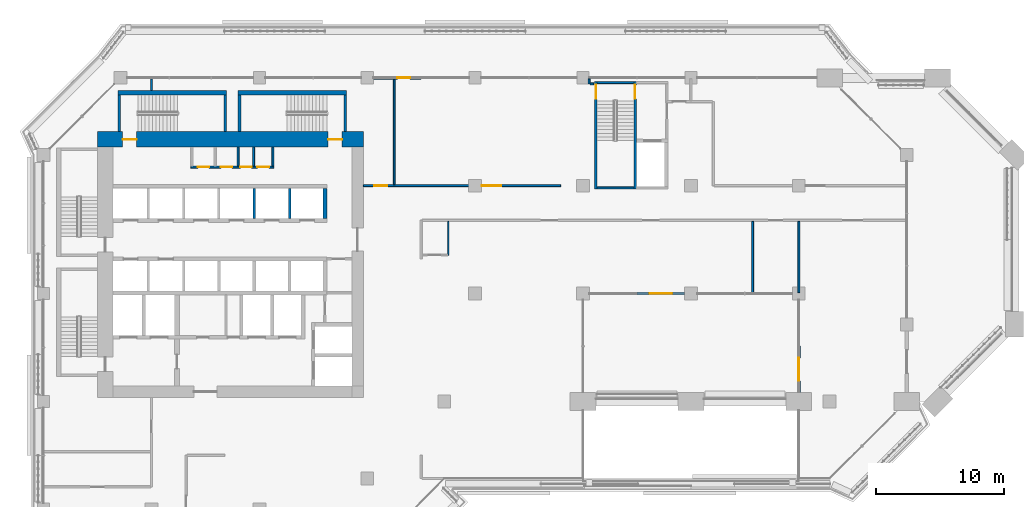
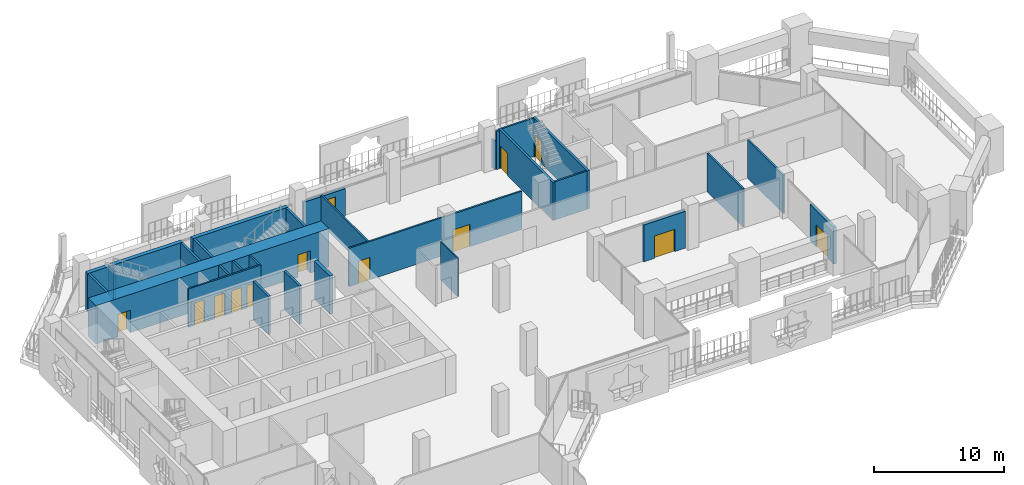
# One storey, part 13 of 23: 29 walls, 13 doors, 13 openings.
"""IFC4 building model written with IfcOpenShell, lengths in metres."""

from ifc_helpers import new_model, si_unit, direction, frame, frame_2d, origin, place, context, subcontext, project, spatial, rectangle, extrude, material, layer, layer_set, type_object, element, fill, save


model = new_model("IFC4")

# Units and contexts
model_context = context("Model", 3, precision=1e-05, world=origin(), true_north=direction((0.0, 1.0)))
body_context = subcontext(model_context, "Body", "Model", "MODEL_VIEW")
ifc_project = project(units=[si_unit("LENGTHUNIT", "METRE"), si_unit("AREAUNIT", "SQUARE_METRE"), si_unit("VOLUMEUNIT", "CUBIC_METRE"), si_unit("PLANEANGLEUNIT", "RADIAN"), si_unit("MASSUNIT", "GRAM", prefix="KILO")], contexts=[model_context])

# Site, building, storey
site_placement = place(None, origin())
site = spatial("IfcSite", under=ifc_project, at=site_placement, CompositionType="ELEMENT")
building_placement = place(site_placement, origin())
building = spatial("IfcBuilding", under=site, at=building_placement, Name="Kawkab Arch Medical Tower", CompositionType="ELEMENT")
storey_placement = place(building_placement, frame((0.0, 0.0, 158.39990234375)))
storey = spatial("IfcBuildingStorey", under=building, at=storey_placement, Name="L36", CompositionType="ELEMENT", Elevation=158.39990234375)

# Wall, openings, doors
ifc_material_1 = material(Name="Concrete C55/67", Category="concrete")
ifc_layer_1 = layer(ifc_material_1, 1.199951171875)
ifc_layer_set_1 = layer_set([ifc_layer_1], Name="Concrete C55/67")
wall_type_1 = type_object("IfcWallType", Name="Core ring wall 1200 C55/67", PredefinedType="SHEAR", material=ifc_layer_set_1)
wall_1_placement = place(storey_placement, frame((4.199951171875, -4.800048828125, 0.0), z_axis=(0.0, 0.0, 1.0), x_axis=(1.0, 0.0, 0.0)))
wall_1 = element("IfcWall", 1, at=wall_1_placement, inside=storey, type_object=wall_type_1, Name="L36 core wall", PredefinedType="SHEAR", context=body_context, shape_type="SweptSolid", body=[
    extrude(rectangle(XDim=20.699951171875, YDim=1.199951171875, at=frame_2d((10.35009765625, 0.0))), origin(), (0.0, 0.0, 1.0), 3.60009765625),
])
opening_1_placement = place(wall_1_placement, frame((1.949951171875, 0.0, 0.0)))
opening_1 = element("IfcOpeningElement", 2, at=opening_1_placement, cuts=wall_1, Name="Opening SD", PredefinedType="OPENING", context=body_context, shape_type="SweptSolid", body=[
    extrude(rectangle(XDim=1.10009765625, YDim=2.10009765625, at=frame_2d((0.550048828125, 1.050048828125))), frame((0.0, 0.60986328125, 0.0), z_axis=(0.0, -1.0, 0.0), x_axis=(1.0, 0.0, 0.0)), (0.0, 0.0, 1.0), 1.219970703125),
])
opening_2_placement = place(wall_1_placement, frame((17.949951171875, 0.0, 0.0)))
opening_2 = element("IfcOpeningElement", 3, at=opening_2_placement, cuts=wall_1, Name="Opening SD", PredefinedType="OPENING", context=body_context, shape_type="SweptSolid", body=[
    extrude(rectangle(XDim=1.10009765625, YDim=2.10009765625, at=frame_2d((0.550048828125, 1.050048828125))), frame((0.0, 0.60986328125, 0.0), z_axis=(0.0, -1.0, 0.0), x_axis=(1.0, 0.0, 0.0)), (0.0, 0.0, 1.0), 1.219970703125),
])
ifc_material_2 = material(Name="Hollow metal fire door leaf")
door_type_1 = type_object("IfcDoorType", Name="Exit stair door 1100", OperationType="SINGLE_SWING_LEFT", PredefinedType="DOOR", material=ifc_material_2)
door_1_placement = place(opening_1_placement, origin())
door_1 = element("IfcDoor", 4, at=door_1_placement, inside=storey, type_object=door_type_1, Name="L36 Exit stair ST3 door", OperationType="SINGLE_SWING_LEFT", OverallHeight=2.10009765625, OverallWidth=1.10009765625, PredefinedType="DOOR", context=body_context, shape_type="SweptSolid", body=[
    extrude(rectangle(XDim=1.10009765625, YDim=2.10009765625, at=frame_2d((0.550048828125, 1.050048828125))), frame((0.0, 0.02490234375, 0.0), z_axis=(0.0, -1.0, 0.0), x_axis=(1.0, 0.0, 0.0)), (0.0, 0.0, 1.0), 0.050048828125),
])
fill(opening_1, door_1)
door_2_placement = place(opening_2_placement, origin())
door_2 = element("IfcDoor", 5, at=door_2_placement, inside=storey, type_object=door_type_1, Name="L36 Exit stair ST4 door", OperationType="SINGLE_SWING_LEFT", OverallHeight=2.10009765625, OverallWidth=1.10009765625, PredefinedType="DOOR", context=body_context, shape_type="SweptSolid", body=[
    extrude(rectangle(XDim=1.10009765625, YDim=2.10009765625, at=frame_2d((0.550048828125, 1.050048828125))), frame((0.0, 0.02490234375, 0.0), z_axis=(0.0, -1.0, 0.0), x_axis=(1.0, 0.0, 0.0)), (0.0, 0.0, 1.0), 0.050048828125),
])
fill(opening_2, door_2)

ifc_material_3 = material(Name="Gypsum board on steel studs", Category="steel")
ifc_layer_2 = layer(ifc_material_3, 0.14990234375)
ifc_layer_set_2 = layer_set([ifc_layer_2], Name="Gypsum board on steel studs")
wall_type_2 = type_object("IfcWallType", Name="Core room partition 150", PredefinedType="PARTITIONING", material=ifc_layer_set_2)
wall_2_placement = place(storey_placement, frame((11.47509765625, -6.949951171875, 0.0), z_axis=(0.0, 0.0, 1.0), x_axis=(1.0, 0.0, 0.0)))
wall_2 = element("IfcWall", 6, at=wall_2_placement, inside=storey, type_object=wall_type_2, Name="L36 core room partition", PredefinedType="PARTITIONING", context=body_context, shape_type="SweptSolid", body=[
    extrude(rectangle(XDim=6.449951171875, YDim=0.14990234375, at=frame_2d((3.22509765625, 0.0))), origin(), (0.0, 0.0, 1.0), 3.60009765625),
])
opening_3_placement = place(wall_2_placement, frame((0.52490234375, 0.0, 0.0)))
opening_3 = element("IfcOpeningElement", 7, at=opening_3_placement, cuts=wall_2, Name="Opening RD", PredefinedType="OPENING", context=body_context, shape_type="SweptSolid", body=[
    extrude(rectangle(XDim=0.89990234375, YDim=2.10009765625, at=frame_2d((0.449951171875, 1.050048828125))), frame((0.0, 0.0849609375, 0.0), z_axis=(0.0, -1.0, 0.0), x_axis=(1.0, 0.0, 0.0)), (0.0, 0.0, 1.0), 0.169921875),
])
opening_4_placement = place(wall_2_placement, frame((2.324951171875, 0.0, 0.0)))
opening_4 = element("IfcOpeningElement", 8, at=opening_4_placement, cuts=wall_2, Name="Opening RD", PredefinedType="OPENING", context=body_context, shape_type="SweptSolid", body=[
    extrude(rectangle(XDim=0.89990234375, YDim=2.10009765625, at=frame_2d((0.449951171875, 1.050048828125))), frame((0.0, 0.0849609375, 0.0), z_axis=(0.0, -1.0, 0.0), x_axis=(1.0, 0.0, 0.0)), (0.0, 0.0, 1.0), 0.169921875),
])
opening_5_placement = place(wall_2_placement, frame((3.824951171875, 0.0, 0.0)))
opening_5 = element("IfcOpeningElement", 9, at=opening_5_placement, cuts=wall_2, Name="Opening RD", PredefinedType="OPENING", context=body_context, shape_type="SweptSolid", body=[
    extrude(rectangle(XDim=0.89990234375, YDim=2.10009765625, at=frame_2d((0.449951171875, 1.050048828125))), frame((0.0, 0.0849609375, 0.0), z_axis=(0.0, -1.0, 0.0), x_axis=(1.0, 0.0, 0.0)), (0.0, 0.0, 1.0), 0.169921875),
])
opening_6_placement = place(wall_2_placement, frame((5.175048828125, 0.0, 0.0)))
opening_6 = element("IfcOpeningElement", 10, at=opening_6_placement, cuts=wall_2, Name="Opening RD", PredefinedType="OPENING", context=body_context, shape_type="SweptSolid", body=[
    extrude(rectangle(XDim=0.89990234375, YDim=2.10009765625, at=frame_2d((0.449951171875, 1.050048828125))), frame((0.0, 0.0849609375, 0.0), z_axis=(0.0, -1.0, 0.0), x_axis=(1.0, 0.0, 0.0)), (0.0, 0.0, 1.0), 0.169921875),
])
ifc_material_4 = material(Name="Hollow metal fire door leaf")
door_type_2 = type_object("IfcDoorType", Name="Core room door 900", OperationType="SINGLE_SWING_LEFT", PredefinedType="DOOR", material=ifc_material_4)
door_3_placement = place(opening_3_placement, origin())
door_3 = element("IfcDoor", 11, at=door_3_placement, inside=storey, type_object=door_type_2, Name="L36 Linen store door", OperationType="SINGLE_SWING_LEFT", OverallHeight=2.10009765625, OverallWidth=0.89990234375, PredefinedType="DOOR", context=body_context, shape_type="SweptSolid", body=[
    extrude(rectangle(XDim=0.89990234375, YDim=2.10009765625, at=frame_2d((0.449951171875, 1.050048828125))), frame((0.0, 0.02490234375, 0.0), z_axis=(0.0, -1.0, 0.0), x_axis=(1.0, 0.0, 0.0)), (0.0, 0.0, 1.0), 0.050048828125),
])
fill(opening_3, door_3)
door_4_placement = place(opening_4_placement, origin())
door_4 = element("IfcDoor", 12, at=door_4_placement, inside=storey, type_object=door_type_2, Name="L36 Comms room door", OperationType="SINGLE_SWING_LEFT", OverallHeight=2.10009765625, OverallWidth=0.89990234375, PredefinedType="DOOR", context=body_context, shape_type="SweptSolid", body=[
    extrude(rectangle(XDim=0.89990234375, YDim=2.10009765625, at=frame_2d((0.449951171875, 1.050048828125))), frame((0.0, 0.02490234375, 0.0), z_axis=(0.0, -1.0, 0.0), x_axis=(1.0, 0.0, 0.0)), (0.0, 0.0, 1.0), 0.050048828125),
])
fill(opening_4, door_4)
door_5_placement = place(opening_5_placement, origin())
door_5 = element("IfcDoor", 13, at=door_5_placement, inside=storey, type_object=door_type_2, Name="L36 Electrical riser room door", OperationType="SINGLE_SWING_LEFT", OverallHeight=2.10009765625, OverallWidth=0.89990234375, PredefinedType="DOOR", context=body_context, shape_type="SweptSolid", body=[
    extrude(rectangle(XDim=0.89990234375, YDim=2.10009765625, at=frame_2d((0.449951171875, 1.050048828125))), frame((0.0, 0.02490234375, 0.0), z_axis=(0.0, -1.0, 0.0), x_axis=(1.0, 0.0, 0.0)), (0.0, 0.0, 1.0), 0.050048828125),
])
fill(opening_5, door_5)
door_6_placement = place(opening_6_placement, origin())
door_6 = element("IfcDoor", 14, at=door_6_placement, inside=storey, type_object=door_type_2, Name="L36 Ward pantry door", OperationType="SINGLE_SWING_LEFT", OverallHeight=2.10009765625, OverallWidth=0.89990234375, PredefinedType="DOOR", context=body_context, shape_type="SweptSolid", body=[
    extrude(rectangle(XDim=0.89990234375, YDim=2.10009765625, at=frame_2d((0.449951171875, 1.050048828125))), frame((0.0, 0.02490234375, 0.0), z_axis=(0.0, -1.0, 0.0), x_axis=(1.0, 0.0, 0.0)), (0.0, 0.0, 1.0), 0.050048828125),
])
fill(opening_6, door_6)

# Walls
for number, where, z_axis, x_axis, name in (
    (15, (15.14990234375, -6.875, 0.0), (0.0, 0.0, 1.0), (0.0, 1.0, 0.0), "L36 core room partition"),
    (16, (16.35009765625, -6.875, 0.0), (0.0, 0.0, 1.0), (0.0, 1.0, 0.0), "L36 core room partition"),
    (17, (17.85009765625, -6.875, 0.0), (0.0, 0.0, 1.0), (0.0, 1.0, 0.0), "L36 core room partition"),
):
    element("IfcWall", number, at=place(storey_placement, frame(where, z_axis=z_axis, x_axis=x_axis)), inside=storey, type_object=wall_type_2, Name=name, PredefinedType="PARTITIONING", context=body_context, shape_type="SweptSolid", body=[
        extrude(rectangle(XDim=1.47509765625, YDim=0.14990234375, at=frame_2d((0.737548828125, 0.0))), origin(), (0.0, 0.0, 1.0), 3.60009765625),
    ])
ifc_material_5 = material(Name="Concrete C60/75", Category="concrete")
ifc_layer_3 = layer(ifc_material_5, 0.300048828125)
ifc_layer_set_3 = layer_set([ifc_layer_3], Name="Concrete C60/75")
wall_type_3 = type_object("IfcWallType", Name="Core shear wall 300 C60/75", PredefinedType="SHEAR", material=ifc_layer_set_3)
wall_3_placement = place(storey_placement, frame((21.89990234375, -10.949951171875, 0.0), z_axis=(0.0, 0.0, 1.0), x_axis=(0.0, 1.0, 0.0)))
element("IfcWall", 18, at=wall_3_placement, inside=storey, type_object=wall_type_3, Name="L36 core shear wall", PredefinedType="SHEAR", context=body_context, shape_type="SweptSolid", body=[
    extrude(rectangle(XDim=2.349853515625, YDim=0.300048828125, at=frame_2d((1.1748046875, 0.0))), origin(), (0.0, 0.0, 1.0), 3.60009765625),
])

# Wall, opening, door
ifc_material_6 = material(Name="Bronze clad insulated wall panel")
ifc_layer_4 = layer(ifc_material_6, 0.25)
ifc_layer_set_4 = layer_set([ifc_layer_4], Name="Bronze clad insulated wall panel")
wall_type_4 = type_object("IfcWallType", Name="External wall bay 250", PredefinedType="SOLIDWALL", material=ifc_layer_set_4)
wall_4_placement = place(storey_placement, frame((46.199951171875, -16.800048828125, 0.0), z_axis=(0.0, 0.0, 1.0), x_axis=(1.0, 0.0, 0.0)))
wall_4 = element("IfcWall", 19, at=wall_4_placement, inside=storey, type_object=wall_type_4, Name="External wall bay L36.R03.1.2", PredefinedType="SOLIDWALL", context=body_context, shape_type="SweptSolid", body=[
    extrude(rectangle(XDim=3.699951171875, YDim=0.25, at=frame_2d((1.85009765625, 0.0))), origin(), (0.0, 0.0, 1.0), 3.460205078125),
])
opening_7_placement = place(wall_4_placement, frame((0.949951171875, 0.0, 0.0)))
opening_7 = element("IfcOpeningElement", 20, at=opening_7_placement, cuts=wall_4, Name="Opening B36-701", PredefinedType="OPENING", context=body_context, shape_type="SweptSolid", body=[
    extrude(rectangle(XDim=1.800048828125, YDim=2.10009765625, at=frame_2d((0.89990234375, 1.050048828125))), frame((0.0, 0.135009765625, 0.0), z_axis=(0.0, -1.0, 0.0), x_axis=(1.0, 0.0, 0.0)), (0.0, 0.0, 1.0), 0.27001953125),
])
ifc_material_7 = material(Name="Bronze anodised aluminium door with tinted glass", Category="aluminium")
door_type_3 = type_object("IfcDoorType", Name="Double external door 1800 x 2100", OperationType="DOUBLE_DOOR_SINGLE_SWING", PredefinedType="DOOR", material=ifc_material_7)
door_7_placement = place(opening_7_placement, origin())
door_7 = element("IfcDoor", 21, at=door_7_placement, inside=storey, type_object=door_type_3, Name="External door L36.R03.1.2", OperationType="DOUBLE_DOOR_SINGLE_SWING", OverallHeight=2.10009765625, OverallWidth=1.800048828125, PredefinedType="DOOR", context=body_context, shape_type="SweptSolid", body=[
    extrude(rectangle(XDim=1.800048828125, YDim=2.10009765625, at=frame_2d((0.89990234375, 1.050048828125))), frame((0.0, 0.02490234375, 0.0), z_axis=(0.0, -1.0, 0.0), x_axis=(1.0, 0.0, 0.0)), (0.0, 0.0, 1.0), 0.050048828125),
])
fill(opening_7, door_7)

wall_5_placement = place(storey_placement, frame((58.800048828125, -20.89990234375, 0.0), z_axis=(0.0, 0.0, 1.0), x_axis=(0.0, -1.0, 0.0)))
wall_5 = element("IfcWall", 22, at=wall_5_placement, inside=storey, type_object=wall_type_4, Name="External wall bay L36.R04.1.2", PredefinedType="SOLIDWALL", context=body_context, shape_type="SweptSolid", body=[
    extrude(rectangle(XDim=3.60009765625, YDim=0.25, at=frame_2d((1.800048828125, 0.0))), origin(), (0.0, 0.0, 1.0), 3.460205078125),
])
opening_8_placement = place(wall_5_placement, frame((0.89990234375, 0.0, 0.0)))
opening_8 = element("IfcOpeningElement", 23, at=opening_8_placement, cuts=wall_5, Name="Opening B36-701", PredefinedType="OPENING", context=body_context, shape_type="SweptSolid", body=[
    extrude(rectangle(XDim=1.800048828125, YDim=2.10009765625, at=frame_2d((0.89990234375, 1.050048828125))), frame((0.0, 0.135009765625, 0.0), z_axis=(0.0, -1.0, 0.0), x_axis=(1.0, 0.0, 0.0)), (0.0, 0.0, 1.0), 0.27001953125),
])
door_8_placement = place(opening_8_placement, origin())
door_8 = element("IfcDoor", 24, at=door_8_placement, inside=storey, type_object=door_type_3, Name="External door L36.R04.1.2", OperationType="DOUBLE_DOOR_SINGLE_SWING", OverallHeight=2.10009765625, OverallWidth=1.800048828125, PredefinedType="DOOR", context=body_context, shape_type="SweptSolid", body=[
    extrude(rectangle(XDim=1.800048828125, YDim=2.10009765625, at=frame_2d((0.89990234375, 1.050048828125))), frame((0.0, 0.02490234375, 0.0), z_axis=(0.0, -1.0, 0.0), x_axis=(1.0, 0.0, 0.0)), (0.0, 0.0, 1.0), 0.050048828125),
])
fill(opening_8, door_8)

wall_6_placement = place(storey_placement, frame((29.39990234375, 0.0, 0.0), z_axis=(0.0, 0.0, 1.0), x_axis=(-1.0, 0.0, 0.0)))
wall_6 = element("IfcWall", 25, at=wall_6_placement, inside=storey, type_object=wall_type_4, Name="External wall bay L36.R09.4.2", PredefinedType="SOLIDWALL", context=body_context, shape_type="SweptSolid", body=[
    extrude(rectangle(XDim=3.724853515625, YDim=0.25, at=frame_2d((1.8623046875, 0.0))), origin(), (0.0, 0.0, 1.0), 2.580078125),
])
opening_9_placement = place(wall_6_placement, frame((0.862548828125, 0.0, 0.0)))
opening_9 = element("IfcOpeningElement", 26, at=opening_9_placement, cuts=wall_6, Name="Opening B36-702", PredefinedType="OPENING", context=body_context, shape_type="SweptSolid", body=[
    extrude(rectangle(XDim=1.0, YDim=2.10009765625, at=frame_2d((0.5, 1.050048828125))), frame((0.0, 0.135009765625, 0.0), z_axis=(0.0, -1.0, 0.0), x_axis=(1.0, 0.0, 0.0)), (0.0, 0.0, 1.0), 0.27001953125),
])
ifc_material_8 = material(Name="Bronze anodised aluminium door with tinted glass", Category="aluminium")
door_type_4 = type_object("IfcDoorType", Name="Single external door 1000 x 2100", OperationType="SINGLE_SWING_LEFT", PredefinedType="DOOR", material=ifc_material_8)
door_9_placement = place(opening_9_placement, origin())
door_9 = element("IfcDoor", 27, at=door_9_placement, inside=storey, type_object=door_type_4, Name="External door L36.R09.4.2", OperationType="SINGLE_SWING_LEFT", OverallHeight=2.10009765625, OverallWidth=1.0, PredefinedType="DOOR", context=body_context, shape_type="SweptSolid", body=[
    extrude(rectangle(XDim=1.0, YDim=2.10009765625, at=frame_2d((0.5, 1.050048828125))), frame((0.0, 0.02490234375, 0.0), z_axis=(0.0, -1.0, 0.0), x_axis=(1.0, 0.0, 0.0)), (0.0, 0.0, 1.0), 0.050048828125),
])
fill(opening_9, door_9)

# Walls
ifc_material_9 = material(Name="Dense concrete blockwork", Category="masonry")
ifc_layer_5 = layer(ifc_material_9, 0.199951171875)
ifc_layer_set_5 = layer_set([ifc_layer_5], Name="Dense concrete blockwork")
wall_type_5 = type_object("IfcWallType", Name="Lift shaft partition 200", PredefinedType="PARTITIONING", material=ifc_layer_set_5)
for number, where, z_axis, x_axis, name in (
    (28, (16.39990234375, -10.949951171875, 0.0), (0.0, 0.0, 1.0), (0.0, 1.0, 0.0), "L36 lift shaft partition"),
    (29, (19.14990234375, -10.949951171875, 0.0), (0.0, 0.0, 1.0), (0.0, 1.0, 0.0), "L36 lift shaft partition"),
):
    element("IfcWall", number, at=place(storey_placement, frame(where, z_axis=z_axis, x_axis=x_axis)), inside=storey, type_object=wall_type_5, Name=name, PredefinedType="PARTITIONING", context=body_context, shape_type="SweptSolid", body=[
        extrude(rectangle(XDim=2.349853515625, YDim=0.199951171875, at=frame_2d((1.1748046875, 0.0))), origin(), (0.0, 0.0, 1.0), 3.60009765625),
    ])
ifc_material_10 = material(Name="Gypsum board partition on steel studs", Category="steel")
ifc_layer_6 = layer(ifc_material_10, 0.10009765625)
ifc_layer_set_6 = layer_set([ifc_layer_6], Name="Gypsum board partition on steel studs")
wall_type_6 = type_object("IfcWallType", Name="Partition 100", PredefinedType="PARTITIONING", material=ifc_layer_set_6)
wall_7_placement = place(storey_placement, frame((31.5, -13.800048828125, 0.0), z_axis=(0.0, 0.0, 1.0), x_axis=(0.0, 1.0, 0.0)))
element("IfcWall", 30, at=wall_7_placement, inside=storey, type_object=wall_type_6, Name="Partition 100 w002", PredefinedType="PARTITIONING", context=body_context, shape_type="SweptSolid", body=[
    extrude(rectangle(XDim=2.625, YDim=0.10009765625, at=frame_2d((1.3125, 0.0))), origin(), (0.0, 0.0, 1.0), 3.60009765625),
])

# Wall, openings, doors
ifc_material_11 = material(Name="Gypsum board partition on steel studs, mineral wool", Category="steel")
ifc_layer_7 = layer(ifc_material_11, 0.14990234375)
ifc_layer_set_7 = layer_set([ifc_layer_7], Name="Gypsum board partition on steel studs, mineral wool")
wall_type_7 = type_object("IfcWallType", Name="Partition 150", PredefinedType="PARTITIONING", material=ifc_layer_set_7)
wall_8_placement = place(storey_placement, frame((24.89990234375, -8.39990234375, 0.0), z_axis=(0.0, 0.0, 1.0), x_axis=(1.0, 0.0, 0.0)))
wall_8 = element("IfcWall", 31, at=wall_8_placement, inside=storey, type_object=wall_type_7, Name="Partition 150 w014", PredefinedType="PARTITIONING", context=body_context, shape_type="SweptSolid", body=[
    extrude(rectangle(XDim=15.357177734375, YDim=0.14990234375, at=frame_2d((7.6787109375, 0.0))), origin(), (0.0, 0.0, 1.0), 3.60009765625),
])
opening_10_placement = place(wall_8_placement, frame((0.85009765625, 0.0, 0.0)))
opening_10 = element("IfcOpeningElement", 32, at=opening_10_placement, cuts=wall_8, Name="Opening B36-010", PredefinedType="OPENING", context=body_context, shape_type="SweptSolid", body=[
    extrude(rectangle(XDim=1.0, YDim=2.10009765625, at=frame_2d((0.5, 1.050048828125))), frame((0.0, 0.0849609375, 0.0), z_axis=(0.0, -1.0, 0.0), x_axis=(1.0, 0.0, 0.0)), (0.0, 0.0, 1.0), 0.169921875),
])
opening_11_placement = place(wall_8_placement, frame((9.22900390625, 0.0, 0.0)))
opening_11 = element("IfcOpeningElement", 33, at=opening_11_placement, cuts=wall_8, Name="Opening B36-007", PredefinedType="OPENING", context=body_context, shape_type="SweptSolid", body=[
    extrude(rectangle(XDim=1.5, YDim=2.10009765625, at=frame_2d((0.75, 1.050048828125))), frame((0.0, 0.0849609375, 0.0), z_axis=(0.0, -1.0, 0.0), x_axis=(1.0, 0.0, 0.0)), (0.0, 0.0, 1.0), 0.169921875),
])
ifc_material_12 = material(Name="Hollow metal door leaf")
door_type_5 = type_object("IfcDoorType", Name="Double door 1500x2100 FD30S", OperationType="NOTDEFINED", PredefinedType="DOOR", material=ifc_material_12)
door_10_placement = place(opening_11_placement, origin())
door_10 = element("IfcDoor", 34, at=door_10_placement, inside=storey, type_object=door_type_5, Name="Door B36-007", OperationType="DOUBLE_DOOR_SINGLE_SWING", OverallHeight=2.10009765625, OverallWidth=1.5, PredefinedType="DOOR", context=body_context, shape_type="SweptSolid", body=[
    extrude(rectangle(XDim=1.5, YDim=2.10009765625, at=frame_2d((0.75, 1.050048828125))), frame((0.0, 0.02490234375, 0.0), z_axis=(0.0, -1.0, 0.0), x_axis=(1.0, 0.0, 0.0)), (0.0, 0.0, 1.0), 0.050048828125),
])
fill(opening_11, door_10)
ifc_material_13 = material(Name="Timber door leaf", Category="wood")
door_type_6 = type_object("IfcDoorType", Name="Single door 1000x2100", OperationType="NOTDEFINED", PredefinedType="DOOR", material=ifc_material_13)
door_11_placement = place(opening_10_placement, origin())
door_11 = element("IfcDoor", 35, at=door_11_placement, inside=storey, type_object=door_type_6, Name="Door B36-010", OperationType="SINGLE_SWING_LEFT", OverallHeight=2.10009765625, OverallWidth=1.0, PredefinedType="DOOR", context=body_context, shape_type="SweptSolid", body=[
    extrude(rectangle(XDim=1.0, YDim=2.10009765625, at=frame_2d((0.5, 1.050048828125))), frame((0.0, 0.02490234375, 0.0), z_axis=(0.0, -1.0, 0.0), x_axis=(1.0, 0.0, 0.0)), (0.0, 0.0, 1.0), 0.050048828125),
])
fill(opening_10, door_11)

# Walls
wall_9_placement = place(storey_placement, frame((42.551025390625, -0.47509765625, 0.0), z_axis=(0.0, 0.0, 1.0), x_axis=(1.0, 0.0, 0.0)))
element("IfcWall", 36, at=wall_9_placement, inside=storey, type_object=wall_type_7, Name="Partition 150 w017", PredefinedType="PARTITIONING", context=body_context, shape_type="SweptSolid", body=[
    extrude(rectangle(XDim=0.26904296875, YDim=0.14990234375, at=frame_2d((0.134521484375, 0.0))), origin(), (0.0, 0.0, 1.0), 3.60009765625),
])
wall_10_placement = place(storey_placement, frame((8.39990234375, -0.969970703125, 0.0), z_axis=(0.0, 0.0, 1.0), x_axis=(0.0, 1.0, 0.0)))
element("IfcWall", 37, at=wall_10_placement, inside=storey, type_object=wall_type_7, Name="Partition 150 w021", PredefinedType="PARTITIONING", context=body_context, shape_type="SweptSolid", body=[
    extrude(rectangle(XDim=0.889892578125, YDim=0.14990234375, at=frame_2d((0.44482421875, 0.0))), origin(), (0.0, 0.0, 1.0), 2.7001953125),
])
wall_11_placement = place(storey_placement, frame((27.300048828125, -8.324951171875, 0.0), z_axis=(0.0, 0.0, 1.0), x_axis=(0.0, 1.0, 0.0)))
element("IfcWall", 38, at=wall_11_placement, inside=storey, type_object=wall_type_7, Name="Partition 150 w023", PredefinedType="PARTITIONING", context=body_context, shape_type="SweptSolid", body=[
    extrude(rectangle(XDim=8.244873046875, YDim=0.14990234375, at=frame_2d((4.12255859375, 0.0))), origin(), (0.0, 0.0, 1.0), 2.7001953125),
])
wall_12_placement = place(storey_placement, frame((42.47509765625, -0.472900390625, 0.0), z_axis=(0.0, 0.0, 1.0), x_axis=(0.0, 1.0, 0.0)))
element("IfcWall", 39, at=wall_12_placement, inside=storey, type_object=wall_type_7, Name="Partition 150 w026", PredefinedType="PARTITIONING", context=body_context, shape_type="SweptSolid", body=[
    extrude(rectangle(XDim=0.392822265625, YDim=0.14990234375, at=frame_2d((0.1962890625, 0.0))), origin(), (0.0, 0.0, 1.0), 2.7001953125),
])
for number, where, z_axis, x_axis, name in (
    (40, (55.199951171875, -16.719970703125, 0.0), (0.0, 0.0, 1.0), (0.0, 1.0, 0.0), "Partition 150 w029"),
    (41, (58.800048828125, -16.719970703125, 0.0), (0.0, 0.0, 1.0), (0.0, 1.0, 0.0), "Partition 150 w030"),
):
    element("IfcWall", number, at=place(storey_placement, frame(where, z_axis=z_axis, x_axis=x_axis)), inside=storey, type_object=wall_type_7, Name=name, PredefinedType="PARTITIONING", context=body_context, shape_type="SweptSolid", body=[
        extrude(rectangle(XDim=5.544921875, YDim=0.14990234375, at=frame_2d((2.7724609375, 0.0))), origin(), (0.0, 0.0, 1.0), 3.60009765625),
    ])
ifc_material_14 = material(Name="Concrete C50/60", Category="concrete")
ifc_layer_8 = layer(ifc_material_14, 0.14990234375)
ifc_layer_set_8 = layer_set([ifc_layer_8], Name="Concrete C50/60")
wall_type_8 = type_object("IfcWallType", Name="Stair enclosure wall 150 C50/60", PredefinedType="SHEAR", material=ifc_layer_set_8)
for number, where, z_axis, x_axis, name in (
    (42, (43.10009765625, -0.375, 0.0), (0.0, 0.0, 1.0), (1.0, 0.0, 0.0), "L36 stair enclosure wall"),
    (43, (43.10009765625, -8.574951171875, 0.0), (0.0, 0.0, 1.0), (1.0, 0.0, 0.0), "L36 stair enclosure wall"),
):
    element("IfcWall", number, at=place(storey_placement, frame(where, z_axis=z_axis, x_axis=x_axis)), inside=storey, type_object=wall_type_8, Name=name, PredefinedType="SHEAR", context=body_context, shape_type="SweptSolid", body=[
        extrude(rectangle(XDim=2.849853515625, YDim=0.14990234375, at=frame_2d((1.4248046875, 0.0))), origin(), (0.0, 0.0, 1.0), 3.60009765625),
    ])
ifc_material_15 = material(Name="Concrete C50/60", Category="concrete")
ifc_layer_9 = layer(ifc_material_15, 0.199951171875)
ifc_layer_set_9 = layer_set([ifc_layer_9], Name="Concrete C50/60")
wall_type_9 = type_object("IfcWallType", Name="Stair enclosure wall 200 C50/60", PredefinedType="SHEAR", material=ifc_layer_set_9)
for number, where, z_axis, x_axis, name in (
    (44, (5.89990234375, -4.199951171875, 0.0), (0.0, 0.0, 1.0), (0.0, 1.0, 0.0), "L36 stair enclosure wall"),
    (45, (14.14990234375, -4.199951171875, 0.0), (0.0, 0.0, 1.0), (0.0, 1.0, 0.0), "L36 stair enclosure wall"),
    (46, (15.25, -4.199951171875, 0.0), (0.0, 0.0, 1.0), (0.0, 1.0, 0.0), "L36 stair enclosure wall"),
    (47, (23.5, -4.199951171875, 0.0), (0.0, 0.0, 1.0), (0.0, 1.0, 0.0), "L36 stair enclosure wall"),
):
    element("IfcWall", number, at=place(storey_placement, frame(where, z_axis=z_axis, x_axis=x_axis)), inside=storey, type_object=wall_type_9, Name=name, PredefinedType="SHEAR", context=body_context, shape_type="SweptSolid", body=[
        extrude(rectangle(XDim=2.849853515625, YDim=0.199951171875, at=frame_2d((1.4248046875, 0.0))), origin(), (0.0, 0.0, 1.0), 3.60009765625),
    ])

# Wall, opening, door
wall_13_placement = place(storey_placement, frame((43.0, -8.64990234375, 0.0), z_axis=(0.0, 0.0, 1.0), x_axis=(0.0, 1.0, 0.0)))
wall_13 = element("IfcWall", 48, at=wall_13_placement, inside=storey, type_object=wall_type_9, Name="L36 stair enclosure wall", PredefinedType="SHEAR", context=body_context, shape_type="SweptSolid", body=[
    extrude(rectangle(XDim=8.349853515625, YDim=0.199951171875, at=frame_2d((4.1748046875, 0.0))), origin(), (0.0, 0.0, 1.0), 3.60009765625),
])
opening_12_placement = place(wall_13_placement, frame((7.0, 0.0, 0.0)))
opening_12 = element("IfcOpeningElement", 49, at=opening_12_placement, cuts=wall_13, Name="Opening SD", PredefinedType="OPENING", context=body_context, shape_type="SweptSolid", body=[
    extrude(rectangle(XDim=1.10009765625, YDim=2.10009765625, at=frame_2d((0.550048828125, 1.050048828125))), frame((0.0, 0.10986328125, 0.0), z_axis=(0.0, -1.0, 0.0), x_axis=(1.0, 0.0, 0.0)), (0.0, 0.0, 1.0), 0.219970703125),
])
door_12_placement = place(opening_12_placement, frame((1.10009765625, 0.0, 0.0), z_axis=(0.0, 0.0, 1.0), x_axis=(-1.0, 0.0, 0.0)))
door_12 = element("IfcDoor", 50, at=door_12_placement, inside=storey, type_object=door_type_1, Name="L36 Exit stair ST5 door", OperationType="SINGLE_SWING_LEFT", OverallHeight=2.10009765625, OverallWidth=1.10009765625, PredefinedType="DOOR", context=body_context, shape_type="SweptSolid", body=[
    extrude(rectangle(XDim=1.10009765625, YDim=2.10009765625, at=frame_2d((0.550048828125, 1.050048828125))), frame((0.0, 0.02490234375, 0.0), z_axis=(0.0, -1.0, 0.0), x_axis=(1.0, 0.0, 0.0)), (0.0, 0.0, 1.0), 0.050048828125),
])
fill(opening_12, door_12)

wall_14_placement = place(storey_placement, frame((46.050048828125, -8.64990234375, 0.0), z_axis=(0.0, 0.0, 1.0), x_axis=(0.0, 1.0, 0.0)))
wall_14 = element("IfcWall", 51, at=wall_14_placement, inside=storey, type_object=wall_type_9, Name="L36 stair enclosure wall", PredefinedType="SHEAR", context=body_context, shape_type="SweptSolid", body=[
    extrude(rectangle(XDim=8.349853515625, YDim=0.199951171875, at=frame_2d((4.1748046875, 0.0))), origin(), (0.0, 0.0, 1.0), 3.60009765625),
])
opening_13_placement = place(wall_14_placement, frame((7.0, 0.0, 0.0)))
opening_13 = element("IfcOpeningElement", 52, at=opening_13_placement, cuts=wall_14, Name="Opening SD", PredefinedType="OPENING", context=body_context, shape_type="SweptSolid", body=[
    extrude(rectangle(XDim=1.10009765625, YDim=2.10009765625, at=frame_2d((0.550048828125, 1.050048828125))), frame((0.0, 0.10986328125, 0.0), z_axis=(0.0, -1.0, 0.0), x_axis=(1.0, 0.0, 0.0)), (0.0, 0.0, 1.0), 0.219970703125),
])
door_13_placement = place(opening_13_placement, origin())
door_13 = element("IfcDoor", 53, at=door_13_placement, inside=storey, type_object=door_type_1, Name="L36 Exit stair ST5 lobby door", OperationType="SINGLE_SWING_LEFT", OverallHeight=2.10009765625, OverallWidth=1.10009765625, PredefinedType="DOOR", context=body_context, shape_type="SweptSolid", body=[
    extrude(rectangle(XDim=1.10009765625, YDim=2.10009765625, at=frame_2d((0.550048828125, 1.050048828125))), frame((0.0, 0.02490234375, 0.0), z_axis=(0.0, -1.0, 0.0), x_axis=(1.0, 0.0, 0.0)), (0.0, 0.0, 1.0), 0.050048828125),
])
fill(opening_13, door_13)

# Walls
ifc_material_16 = material(Name="Concrete C50/60", Category="concrete")
ifc_layer_10 = layer(ifc_material_16, 0.35009765625)
ifc_layer_set_10 = layer_set([ifc_layer_10], Name="Concrete C50/60")
wall_type_10 = type_object("IfcWallType", Name="Stair enclosure wall 350 C50/60", PredefinedType="SHEAR", material=ifc_layer_set_10)
wall_15_placement = place(storey_placement, frame((5.800048828125, -1.175048828125, 0.0), z_axis=(0.0, 0.0, 1.0), x_axis=(1.0, 0.0, 0.0)))
element("IfcWall", 54, at=wall_15_placement, inside=storey, type_object=wall_type_10, Name="L36 stair enclosure wall", PredefinedType="SHEAR", context=body_context, shape_type="SweptSolid", body=[
    extrude(rectangle(XDim=8.449951171875, YDim=0.35009765625, at=frame_2d((4.22509765625, 0.0))), origin(), (0.0, 0.0, 1.0), 3.60009765625),
])
wall_16_placement = place(storey_placement, frame((15.14990234375, -1.175048828125, 0.0), z_axis=(0.0, 0.0, 1.0), x_axis=(1.0, 0.0, 0.0)))
element("IfcWall", 55, at=wall_16_placement, inside=storey, type_object=wall_type_10, Name="L36 stair enclosure wall", PredefinedType="SHEAR", context=body_context, shape_type="SweptSolid", body=[
    extrude(rectangle(XDim=8.4501953125, YDim=0.35009765625, at=frame_2d((4.22509765625, 0.0))), origin(), (0.0, 0.0, 1.0), 3.60009765625),
])

save(model, "model.ifc")
